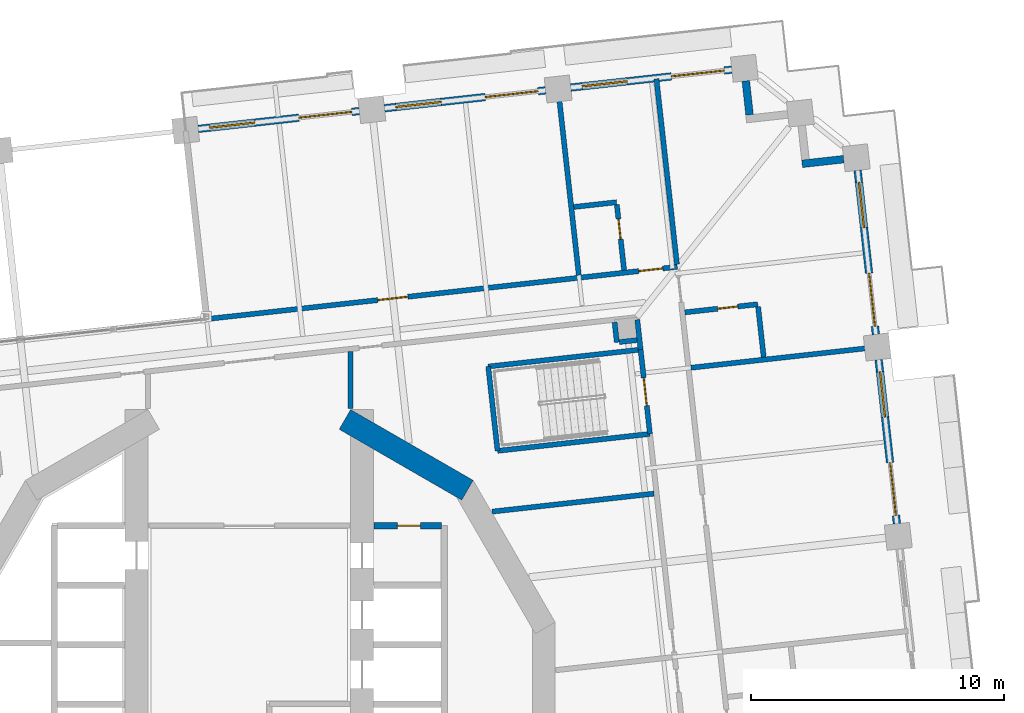
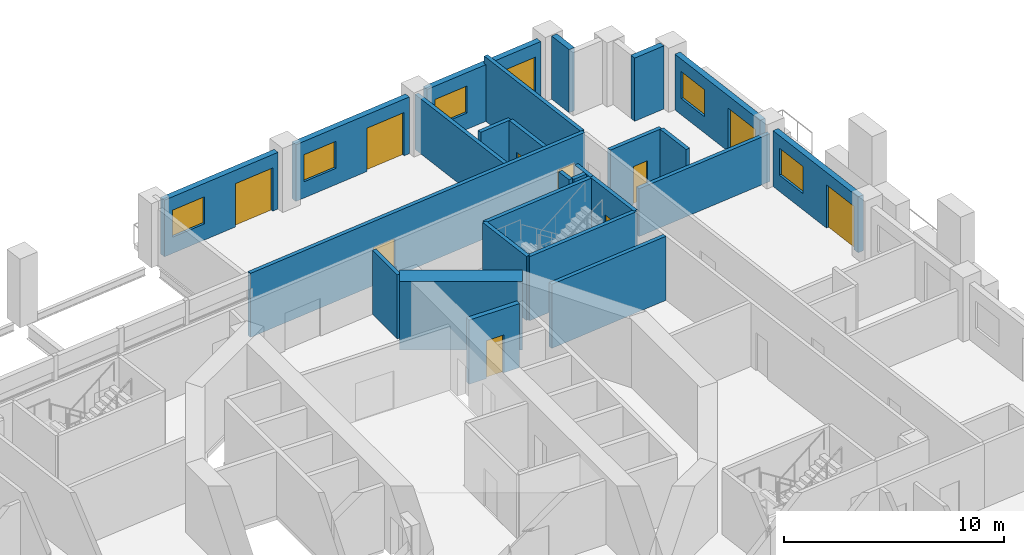
# One storey, part 12 of 21: 26 walls, 11 doors, 5 windows, 16 openings.
"""IFC4 building model written with IfcOpenShell, lengths in metres."""

from ifc_helpers import new_model, si_unit, direction, frame, frame_2d, origin, place, context, subcontext, project, spatial, rectangle, extrude, material, layer, layer_set, type_object, element, fill, save


model = new_model("IFC4")

# Units and contexts
model_context = context("Model", 3, precision=1e-05, world=origin(), true_north=direction((0.0, 1.0)))
body_context = subcontext(model_context, "Body", "Model", "MODEL_VIEW")
ifc_project = project(units=[si_unit("LENGTHUNIT", "METRE"), si_unit("AREAUNIT", "SQUARE_METRE"), si_unit("VOLUMEUNIT", "CUBIC_METRE"), si_unit("PLANEANGLEUNIT", "RADIAN"), si_unit("MASSUNIT", "GRAM", prefix="KILO")], contexts=[model_context])

# Site, building, storey
site_placement = place(None, origin())
site = spatial("IfcSite", under=ifc_project, at=site_placement, CompositionType="ELEMENT")
building_placement = place(site_placement, origin())
building = spatial("IfcBuilding", under=site, at=building_placement, Name="Cantera Rosa Tower", CompositionType="ELEMENT")
storey_placement = place(building_placement, frame((0.0, 0.0, 61.5)))
storey = spatial("IfcBuildingStorey", under=building, at=storey_placement, Name="L12", CompositionType="ELEMENT", Elevation=61.5)

# Walls
ifc_material_1 = material(Name="Gypsum board partition")
ifc_layer_1 = layer(ifc_material_1, 0.199951171875)
ifc_layer_set_1 = layer_set([ifc_layer_1], Name="CORRIDOR WALL 200 H3550")
wall_type_1 = type_object("IfcWallType", Name="CORRIDOR WALL 200 H3550", PredefinedType="PARTITIONING", material=ifc_layer_set_1)
wall_1_placement = place(storey_placement, frame((4.0, 11.667236328125, 0.0), z_axis=(0.0, 0.0, 1.0), x_axis=(0.0, 1.0, 0.0)))
element("IfcWall", 1, at=wall_1_placement, inside=storey, type_object=wall_type_1, Name="CORRIDOR WALL L12-060", PredefinedType="PARTITIONING", context=body_context, shape_type="SweptSolid", body=[
    extrude(rectangle(XDim=2.259765625, YDim=0.199951171875, at=frame_2d((1.1298828125, 0.0))), origin(), (0.0, 0.0, 1.0), 3.550048828125),
])
wall_2_placement = place(storey_placement, frame((15.44970703125, 14.001708984375, 0.0), z_axis=(0.0, 0.0, 1.0), x_axis=(-0.110341316069, 0.993893753863, 0.0)))
element("IfcWall", 2, at=wall_2_placement, inside=storey, type_object=wall_type_1, Name="CORRIDOR WALL L12-088", PredefinedType="PARTITIONING", context=body_context, shape_type="SweptSolid", body=[
    extrude(rectangle(XDim=1.188232421875, YDim=0.199951171875, at=frame_2d((0.59423828125, 0.0))), origin(), (0.0, 0.0, 1.0), 3.550048828125),
])

# Wall, openings, doors
wall_3_placement = place(storey_placement, frame((16.898193359375, 17.26953125, 0.0), z_axis=(0.0, 0.0, 1.0), x_axis=(-0.993896854699, -0.110313381866, 0.0)))
wall_3 = element("IfcWall", 3, at=wall_3_placement, inside=storey, type_object=wall_type_1, Name="CORRIDOR WALL L12-092", PredefinedType="PARTITIONING", context=body_context, shape_type="SweptSolid", body=[
    extrude(rectangle(XDim=18.8251953125, YDim=0.199951171875, at=frame_2d((9.41259765625, 0.0))), origin(), (0.0, 0.0, 1.0), 3.550048828125),
])
opening_1_placement = place(wall_3_placement, frame((10.699951171875, 0.0, 0.0)))
opening_1 = element("IfcOpeningElement", 4, at=opening_1_placement, cuts=wall_3, Name="Opening L12-025", PredefinedType="OPENING", context=body_context, shape_type="SweptSolid", body=[
    extrude(rectangle(XDim=1.199951171875, YDim=2.10009765625, at=frame_2d((0.60009765625, 1.050048828125))), frame((0.0, 0.10986328125, 0.0), z_axis=(0.0, -1.0, 0.0), x_axis=(1.0, 0.0, 0.0)), (0.0, 0.0, 1.0), 0.219970703125),
])
opening_2_placement = place(wall_3_placement, frame((0.574951171875, 0.0, 0.0)))
opening_2 = element("IfcOpeningElement", 5, at=opening_2_placement, cuts=wall_3, Name="Opening L12-026", PredefinedType="OPENING", context=body_context, shape_type="SweptSolid", body=[
    extrude(rectangle(XDim=0.949951171875, YDim=2.10009765625, at=frame_2d((0.47509765625, 1.050048828125))), frame((0.0, 0.10986328125, 0.0), z_axis=(0.0, -1.0, 0.0), x_axis=(1.0, 0.0, 0.0)), (0.0, 0.0, 1.0), 0.219970703125),
])
ifc_material_2 = material(Name="Timber door leaf", Category="wood")
door_type_1 = type_object("IfcDoorType", Name="ROOM DOOR 1200x2100", OperationType="NOTDEFINED", PredefinedType="DOOR", material=ifc_material_2)
door_1_placement = place(opening_1_placement, origin())
door_1 = element("IfcDoor", 6, at=door_1_placement, inside=storey, type_object=door_type_1, Name="DOOR L12-025", OperationType="NOTDEFINED", OverallHeight=2.10009765625, OverallWidth=1.199951171875, PredefinedType="DOOR", context=body_context, shape_type="SweptSolid", body=[
    extrude(rectangle(XDim=1.199951171875, YDim=2.10009765625, at=frame_2d((0.60009765625, 1.050048828125))), frame((0.0, 0.02490234375, 0.0), z_axis=(0.0, -1.0, 0.0), x_axis=(1.0, 0.0, 0.0)), (0.0, 0.0, 1.0), 0.050048828125),
])
fill(opening_1, door_1)
ifc_material_3 = material(Name="Timber door leaf", Category="wood")
door_type_2 = type_object("IfcDoorType", Name="ROOM DOOR 950x2100", OperationType="NOTDEFINED", PredefinedType="DOOR", material=ifc_material_3)
door_2_placement = place(opening_2_placement, origin())
door_2 = element("IfcDoor", 7, at=door_2_placement, inside=storey, type_object=door_type_2, Name="DOOR L12-026", OperationType="NOTDEFINED", OverallHeight=2.10009765625, OverallWidth=0.949951171875, PredefinedType="DOOR", context=body_context, shape_type="SweptSolid", body=[
    extrude(rectangle(XDim=0.949951171875, YDim=2.10009765625, at=frame_2d((0.47509765625, 1.050048828125))), frame((0.0, 0.02490234375, 0.0), z_axis=(0.0, -1.0, 0.0), x_axis=(1.0, 0.0, 0.0)), (0.0, 0.0, 1.0), 0.050048828125),
])
fill(opening_2, door_2)

# Walls
ifc_material_4 = material(Name="Hollow clay masonry with cantera stone cladding", Category="masonry")
ifc_layer_2 = layer(ifc_material_4, 0.300048828125)
ifc_layer_set_2 = layer_set([ifc_layer_2], Name="EW-LOGGIA 300")
wall_type_2 = type_object("IfcWallType", Name="EW-LOGGIA 300", PredefinedType="SOLIDWALL", material=ifc_layer_set_2)
wall_4_placement = place(storey_placement, frame((23.46923828125, 21.520263671875, 0.0), z_axis=(0.0, 0.0, 1.0), x_axis=(-0.993905369514, -0.110236638423, 0.0)))
element("IfcWall", 8, at=wall_4_placement, inside=storey, type_object=wall_type_2, Name="EN-L12-W06a", PredefinedType="SOLIDWALL", context=body_context, shape_type="SweptSolid", body=[
    extrude(rectangle(XDim=1.64990234375, YDim=0.300048828125, at=frame_2d((0.824951171875, 0.0))), origin(), (0.0, 0.0, 1.0), 3.5),
])
wall_5_placement = place(storey_placement, frame((19.75341796875, 23.27099609375, 0.0), z_axis=(0.0, 0.0, 1.0), x_axis=(-0.110312435488, 0.993896959738, 0.0)))
element("IfcWall", 9, at=wall_5_placement, inside=storey, type_object=wall_type_2, Name="EN-L12-W07b", PredefinedType="SOLIDWALL", context=body_context, shape_type="SweptSolid", body=[
    extrude(rectangle(XDim=1.35009765625, YDim=0.300048828125, at=frame_2d((0.675048828125, 0.0))), origin(), (0.0, 0.0, 1.0), 3.5),
])

# Wall, openings, window, door
ifc_material_5 = material(Name="Hollow clay masonry with cantera stone cladding", Category="masonry")
ifc_layer_3 = layer(ifc_material_5, 0.300048828125)
ifc_layer_set_3 = layer_set([ifc_layer_3], Name="EW-LOGGIA 300 H3090")
wall_type_3 = type_object("IfcWallType", Name="EW-LOGGIA 300 H3090", PredefinedType="SOLIDWALL", material=ifc_layer_set_3)
wall_6_placement = place(storey_placement, frame((25.570068359375, 7.124267578125, 0.0), z_axis=(0.0, 0.0, 1.0), x_axis=(-0.110312341265, 0.993896970196, 0.0)))
wall_6 = element("IfcWall", 10, at=wall_6_placement, inside=storey, type_object=wall_type_3, Name="EN-L12-W04", PredefinedType="SOLIDWALL", context=body_context, shape_type="SweptSolid", body=[
    extrude(rectangle(XDim=6.52001953125, YDim=0.300048828125, at=frame_2d((3.260009765625, 0.0))), origin(), (0.0, 0.0, 1.0), 3.090087890625),
])
opening_3_placement = place(wall_6_placement, frame((0.330078125, 0.0, 0.0)))
opening_3 = element("IfcOpeningElement", 11, at=opening_3_placement, cuts=wall_6, Name="Opening L12-TD07", PredefinedType="OPENING", context=body_context, shape_type="SweptSolid", body=[
    extrude(rectangle(XDim=2.10009765625, YDim=2.39990234375, at=frame_2d((1.050048828125, 1.199951171875))), frame((0.0, 0.159912109375, 0.0), z_axis=(0.0, -1.0, 0.0), x_axis=(1.0, 0.0, 0.0)), (0.0, 0.0, 1.0), 0.320068359375),
])
opening_4_placement = place(wall_6_placement, frame((4.239990234375, 0.0, 0.89990234375)))
opening_4 = element("IfcOpeningElement", 12, at=opening_4_placement, cuts=wall_6, Name="Opening L12-W08", PredefinedType="OPENING", context=body_context, shape_type="SweptSolid", body=[
    extrude(rectangle(XDim=1.800048828125, YDim=1.5, at=frame_2d((0.89990234375, 0.75))), frame((0.0, 0.159912109375, 0.0), z_axis=(0.0, -1.0, 0.0), x_axis=(1.0, 0.0, 0.0)), (0.0, 0.0, 1.0), 0.320068359375),
])
ifc_material_6 = material(Name="Aluminium frame with clear glass", Category="aluminium")
window_type = type_object("IfcWindowType", Name="Hotel room window 1800x1500", PartitioningType="DOUBLE_PANEL_VERTICAL", PredefinedType="WINDOW", material=ifc_material_6)
window_1_placement = place(opening_4_placement, origin())
window_1 = element("IfcWindow", 13, at=window_1_placement, inside=storey, type_object=window_type, Name="WINDOW L12-W08", OverallHeight=1.5, OverallWidth=1.800048828125, PartitioningType="SINGLE_PANEL", PredefinedType="WINDOW", context=body_context, shape_type="SweptSolid", body=[
    extrude(rectangle(XDim=1.800048828125, YDim=1.5, at=frame_2d((0.89990234375, 0.75))), frame((0.0, 0.030029296875, 0.0), z_axis=(0.0, -1.0, 0.0), x_axis=(1.0, 0.0, 0.0)), (0.0, 0.0, 1.0), 0.06005859375),
])
fill(opening_4, window_1)
ifc_material_7 = material(Name="Aluminium frame with clear glass", Category="aluminium")
door_type_3 = type_object("IfcDoorType", Name="TD-H 2100x2400", OperationType="NOTDEFINED", PredefinedType="DOOR", material=ifc_material_7)
door_3_placement = place(opening_3_placement, origin())
door_3 = element("IfcDoor", 14, at=door_3_placement, inside=storey, type_object=door_type_3, Name="LOGGIA DOOR L12-TD07", OperationType="SLIDING_TO_LEFT", OverallHeight=2.39990234375, OverallWidth=2.10009765625, PredefinedType="DOOR", context=body_context, shape_type="SweptSolid", body=[
    extrude(rectangle(XDim=2.10009765625, YDim=2.39990234375, at=frame_2d((1.050048828125, 1.199951171875))), frame((0.0, 0.02490234375, 0.0), z_axis=(0.0, -1.0, 0.0), x_axis=(1.0, 0.0, 0.0)), (0.0, 0.0, 1.0), 0.050048828125),
])
fill(opening_3, door_3)

wall_7_placement = place(storey_placement, frame((24.74072265625, 14.598388671875, 0.0), z_axis=(0.0, 0.0, 1.0), x_axis=(-0.110312341265, 0.993896970196, 0.0)))
wall_7 = element("IfcWall", 15, at=wall_7_placement, inside=storey, type_object=wall_type_3, Name="EN-L12-W05", PredefinedType="SOLIDWALL", context=body_context, shape_type="SweptSolid", body=[
    extrude(rectangle(XDim=6.52001953125, YDim=0.300048828125, at=frame_2d((3.260009765625, 0.0))), origin(), (0.0, 0.0, 1.0), 3.090087890625),
])
opening_5_placement = place(wall_7_placement, frame((0.330078125, 0.0, 0.0)))
opening_5 = element("IfcOpeningElement", 16, at=opening_5_placement, cuts=wall_7, Name="Opening L12-TD09", PredefinedType="OPENING", context=body_context, shape_type="SweptSolid", body=[
    extrude(rectangle(XDim=2.10009765625, YDim=2.39990234375, at=frame_2d((1.050048828125, 1.199951171875))), frame((0.0, 0.159912109375, 0.0), z_axis=(0.0, -1.0, 0.0), x_axis=(1.0, 0.0, 0.0)), (0.0, 0.0, 1.0), 0.320068359375),
])
opening_6_placement = place(wall_7_placement, frame((4.239990234375, 0.0, 0.89990234375)))
opening_6 = element("IfcOpeningElement", 17, at=opening_6_placement, cuts=wall_7, Name="Opening L12-W10", PredefinedType="OPENING", context=body_context, shape_type="SweptSolid", body=[
    extrude(rectangle(XDim=1.800048828125, YDim=1.5, at=frame_2d((0.89990234375, 0.75))), frame((0.0, 0.159912109375, 0.0), z_axis=(0.0, -1.0, 0.0), x_axis=(1.0, 0.0, 0.0)), (0.0, 0.0, 1.0), 0.320068359375),
])
window_2_placement = place(opening_6_placement, origin())
window_2 = element("IfcWindow", 18, at=window_2_placement, inside=storey, type_object=window_type, Name="WINDOW L12-W10", OverallHeight=1.5, OverallWidth=1.800048828125, PartitioningType="SINGLE_PANEL", PredefinedType="WINDOW", context=body_context, shape_type="SweptSolid", body=[
    extrude(rectangle(XDim=1.800048828125, YDim=1.5, at=frame_2d((0.89990234375, 0.75))), frame((0.0, 0.030029296875, 0.0), z_axis=(0.0, -1.0, 0.0), x_axis=(1.0, 0.0, 0.0)), (0.0, 0.0, 1.0), 0.06005859375),
])
fill(opening_6, window_2)
door_4_placement = place(opening_5_placement, origin())
door_4 = element("IfcDoor", 19, at=door_4_placement, inside=storey, type_object=door_type_3, Name="LOGGIA DOOR L12-TD09", OperationType="SLIDING_TO_LEFT", OverallHeight=2.39990234375, OverallWidth=2.10009765625, PredefinedType="DOOR", context=body_context, shape_type="SweptSolid", body=[
    extrude(rectangle(XDim=2.10009765625, YDim=2.39990234375, at=frame_2d((1.050048828125, 1.199951171875))), frame((0.0, 0.02490234375, 0.0), z_axis=(0.0, -1.0, 0.0), x_axis=(1.0, 0.0, 0.0)), (0.0, 0.0, 1.0), 0.050048828125),
])
fill(opening_5, door_4)

ifc_material_8 = material(Name="Hollow clay masonry with cantera stone cladding", Category="masonry")
ifc_layer_4 = layer(ifc_material_8, 0.300048828125)
ifc_layer_set_4 = layer_set([ifc_layer_4], Name="EW-LOGGIA 300 H3140")
wall_type_4 = type_object("IfcWallType", Name="EW-LOGGIA 300 H3140", PredefinedType="SOLIDWALL", material=ifc_layer_set_4)
wall_8_placement = place(storey_placement, frame((19.052490234375, 25.0546875, 0.0), z_axis=(0.0, 0.0, 1.0), x_axis=(-0.993896288542, -0.110318482689, 0.0)))
wall_8 = element("IfcWall", 20, at=wall_8_placement, inside=storey, type_object=wall_type_4, Name="EN-L12-W08", PredefinedType="SOLIDWALL", context=body_context, shape_type="SweptSolid", body=[
    extrude(rectangle(XDim=6.400146484375, YDim=0.300048828125, at=frame_2d((3.2001953125, 0.0))), origin(), (0.0, 0.0, 1.0), 3.139892578125),
])
opening_7_placement = place(wall_8_placement, frame((0.300048828125, 0.0, 0.0)))
opening_7 = element("IfcOpeningElement", 21, at=opening_7_placement, cuts=wall_8, Name="Opening L12-TD11", PredefinedType="OPENING", context=body_context, shape_type="SweptSolid", body=[
    extrude(rectangle(XDim=2.10009765625, YDim=2.39990234375, at=frame_2d((1.050048828125, 1.199951171875))), frame((0.0, 0.159912109375, 0.0), z_axis=(0.0, -1.0, 0.0), x_axis=(1.0, 0.0, 0.0)), (0.0, 0.0, 1.0), 0.320068359375),
])
opening_8_placement = place(wall_8_placement, frame((4.14990234375, 0.0, 0.89990234375)))
opening_8 = element("IfcOpeningElement", 22, at=opening_8_placement, cuts=wall_8, Name="Opening L12-W12", PredefinedType="OPENING", context=body_context, shape_type="SweptSolid", body=[
    extrude(rectangle(XDim=1.800048828125, YDim=1.5, at=frame_2d((0.89990234375, 0.75))), frame((0.0, 0.159912109375, 0.0), z_axis=(0.0, -1.0, 0.0), x_axis=(1.0, 0.0, 0.0)), (0.0, 0.0, 1.0), 0.320068359375),
])
window_3_placement = place(opening_8_placement, origin())
window_3 = element("IfcWindow", 23, at=window_3_placement, inside=storey, type_object=window_type, Name="WINDOW L12-W12", OverallHeight=1.5, OverallWidth=1.800048828125, PartitioningType="SINGLE_PANEL", PredefinedType="WINDOW", context=body_context, shape_type="SweptSolid", body=[
    extrude(rectangle(XDim=1.800048828125, YDim=1.5, at=frame_2d((0.89990234375, 0.75))), frame((0.0, 0.030029296875, 0.0), z_axis=(0.0, -1.0, 0.0), x_axis=(1.0, 0.0, 0.0)), (0.0, 0.0, 1.0), 0.06005859375),
])
fill(opening_8, window_3)
door_5_placement = place(opening_7_placement, origin())
door_5 = element("IfcDoor", 24, at=door_5_placement, inside=storey, type_object=door_type_3, Name="LOGGIA DOOR L12-TD11", OperationType="SLIDING_TO_LEFT", OverallHeight=2.39990234375, OverallWidth=2.10009765625, PredefinedType="DOOR", context=body_context, shape_type="SweptSolid", body=[
    extrude(rectangle(XDim=2.10009765625, YDim=2.39990234375, at=frame_2d((1.050048828125, 1.199951171875))), frame((0.0, 0.02490234375, 0.0), z_axis=(0.0, -1.0, 0.0), x_axis=(1.0, 0.0, 0.0)), (0.0, 0.0, 1.0), 0.050048828125),
])
fill(opening_7, door_5)

wall_9_placement = place(storey_placement, frame((11.697509765625, 24.23828125, 0.0), z_axis=(0.0, 0.0, 1.0), x_axis=(-0.993895824271, -0.110322665379, 0.0)))
wall_9 = element("IfcWall", 25, at=wall_9_placement, inside=storey, type_object=wall_type_4, Name="EN-L12-W09", PredefinedType="SOLIDWALL", context=body_context, shape_type="SweptSolid", body=[
    extrude(rectangle(XDim=6.39990234375, YDim=0.300048828125, at=frame_2d((3.199951171875, 0.0))), origin(), (0.0, 0.0, 1.0), 3.139892578125),
])
opening_9_placement = place(wall_9_placement, frame((0.300048828125, 0.0, 0.0)))
opening_9 = element("IfcOpeningElement", 26, at=opening_9_placement, cuts=wall_9, Name="Opening L12-TD13", PredefinedType="OPENING", context=body_context, shape_type="SweptSolid", body=[
    extrude(rectangle(XDim=2.10009765625, YDim=2.39990234375, at=frame_2d((1.050048828125, 1.199951171875))), frame((0.0, 0.159912109375, 0.0), z_axis=(0.0, -1.0, 0.0), x_axis=(1.0, 0.0, 0.0)), (0.0, 0.0, 1.0), 0.320068359375),
])
opening_10_placement = place(wall_9_placement, frame((4.14990234375, 0.0, 0.89990234375)))
opening_10 = element("IfcOpeningElement", 27, at=opening_10_placement, cuts=wall_9, Name="Opening L12-W14", PredefinedType="OPENING", context=body_context, shape_type="SweptSolid", body=[
    extrude(rectangle(XDim=1.800048828125, YDim=1.5, at=frame_2d((0.89990234375, 0.75))), frame((0.0, 0.159912109375, 0.0), z_axis=(0.0, -1.0, 0.0), x_axis=(1.0, 0.0, 0.0)), (0.0, 0.0, 1.0), 0.320068359375),
])
window_4_placement = place(opening_10_placement, origin())
window_4 = element("IfcWindow", 28, at=window_4_placement, inside=storey, type_object=window_type, Name="WINDOW L12-W14", OverallHeight=1.5, OverallWidth=1.800048828125, PartitioningType="SINGLE_PANEL", PredefinedType="WINDOW", context=body_context, shape_type="SweptSolid", body=[
    extrude(rectangle(XDim=1.800048828125, YDim=1.5, at=frame_2d((0.89990234375, 0.75))), frame((0.0, 0.030029296875, 0.0), z_axis=(0.0, -1.0, 0.0), x_axis=(1.0, 0.0, 0.0)), (0.0, 0.0, 1.0), 0.06005859375),
])
fill(opening_10, window_4)
door_6_placement = place(opening_9_placement, origin())
door_6 = element("IfcDoor", 29, at=door_6_placement, inside=storey, type_object=door_type_3, Name="LOGGIA DOOR L12-TD13", OperationType="SLIDING_TO_LEFT", OverallHeight=2.39990234375, OverallWidth=2.10009765625, PredefinedType="DOOR", context=body_context, shape_type="SweptSolid", body=[
    extrude(rectangle(XDim=2.10009765625, YDim=2.39990234375, at=frame_2d((1.050048828125, 1.199951171875))), frame((0.0, 0.02490234375, 0.0), z_axis=(0.0, -1.0, 0.0), x_axis=(1.0, 0.0, 0.0)), (0.0, 0.0, 1.0), 0.050048828125),
])
fill(opening_9, door_6)

wall_10_placement = place(storey_placement, frame((4.3427734375, 23.422119140625, 0.0), z_axis=(0.0, 0.0, 1.0), x_axis=(-0.993895824271, -0.110322665379, 0.0)))
wall_10 = element("IfcWall", 30, at=wall_10_placement, inside=storey, type_object=wall_type_4, Name="EN-L12-W10", PredefinedType="SOLIDWALL", context=body_context, shape_type="SweptSolid", body=[
    extrude(rectangle(XDim=6.39990234375, YDim=0.300048828125, at=frame_2d((3.199951171875, 0.0))), origin(), (0.0, 0.0, 1.0), 3.139892578125),
])
opening_11_placement = place(wall_10_placement, frame((0.300048828125, 0.0, 0.0)))
opening_11 = element("IfcOpeningElement", 31, at=opening_11_placement, cuts=wall_10, Name="Opening L12-TD15", PredefinedType="OPENING", context=body_context, shape_type="SweptSolid", body=[
    extrude(rectangle(XDim=2.10009765625, YDim=2.39990234375, at=frame_2d((1.050048828125, 1.199951171875))), frame((0.0, 0.159912109375, 0.0), z_axis=(0.0, -1.0, 0.0), x_axis=(1.0, 0.0, 0.0)), (0.0, 0.0, 1.0), 0.320068359375),
])
opening_12_placement = place(wall_10_placement, frame((4.14990234375, 0.0, 0.89990234375)))
opening_12 = element("IfcOpeningElement", 32, at=opening_12_placement, cuts=wall_10, Name="Opening L12-W16", PredefinedType="OPENING", context=body_context, shape_type="SweptSolid", body=[
    extrude(rectangle(XDim=1.800048828125, YDim=1.5, at=frame_2d((0.89990234375, 0.75))), frame((0.0, 0.159912109375, 0.0), z_axis=(0.0, -1.0, 0.0), x_axis=(1.0, 0.0, 0.0)), (0.0, 0.0, 1.0), 0.320068359375),
])
window_5_placement = place(opening_12_placement, origin())
window_5 = element("IfcWindow", 33, at=window_5_placement, inside=storey, type_object=window_type, Name="WINDOW L12-W16", OverallHeight=1.5, OverallWidth=1.800048828125, PartitioningType="SINGLE_PANEL", PredefinedType="WINDOW", context=body_context, shape_type="SweptSolid", body=[
    extrude(rectangle(XDim=1.800048828125, YDim=1.5, at=frame_2d((0.89990234375, 0.75))), frame((0.0, 0.030029296875, 0.0), z_axis=(0.0, -1.0, 0.0), x_axis=(1.0, 0.0, 0.0)), (0.0, 0.0, 1.0), 0.06005859375),
])
fill(opening_12, window_5)
door_7_placement = place(opening_11_placement, origin())
door_7 = element("IfcDoor", 34, at=door_7_placement, inside=storey, type_object=door_type_3, Name="LOGGIA DOOR L12-TD15", OperationType="SLIDING_TO_LEFT", OverallHeight=2.39990234375, OverallWidth=2.10009765625, PredefinedType="DOOR", context=body_context, shape_type="SweptSolid", body=[
    extrude(rectangle(XDim=2.10009765625, YDim=2.39990234375, at=frame_2d((1.050048828125, 1.199951171875))), frame((0.0, 0.02490234375, 0.0), z_axis=(0.0, -1.0, 0.0), x_axis=(1.0, 0.0, 0.0)), (0.0, 0.0, 1.0), 0.050048828125),
])
fill(opening_11, door_7)

# Walls
ifc_material_9 = material(Name="Gypsum board partition")
ifc_layer_5 = layer(ifc_material_9, 0.199951171875)
ifc_layer_set_5 = layer_set([ifc_layer_5], Name="PARTITION 200 H3550")
wall_type_5 = type_object("IfcWallType", Name="PARTITION 200 H3550", PredefinedType="PARTITIONING", material=ifc_layer_set_5)
wall_11_placement = place(storey_placement, frame((9.58642578125, 7.60400390625, 0.0), z_axis=(0.0, 0.0, 1.0), x_axis=(0.993896223863, 0.110319065398, 0.0)))
element("IfcWall", 35, at=wall_11_placement, inside=storey, type_object=wall_type_5, Name="PARTITION L12-072", PredefinedType="PARTITIONING", context=body_context, shape_type="SweptSolid", body=[
    extrude(rectangle(XDim=6.433349609375, YDim=0.199951171875, at=frame_2d((3.216796875, 0.0))), origin(), (0.0, 0.0, 1.0), 3.550048828125),
])
wall_12_placement = place(storey_placement, frame((12.8125, 19.63330078125, 0.0), z_axis=(0.0, 0.0, 1.0), x_axis=(0.993897739047, 0.110305413813, 0.0)))
element("IfcWall", 36, at=wall_12_placement, inside=storey, type_object=wall_type_5, Name="PARTITION L12-075", PredefinedType="PARTITIONING", context=body_context, shape_type="SweptSolid", body=[
    extrude(rectangle(XDim=1.69970703125, YDim=0.199951171875, at=frame_2d((0.849853515625, 0.0))), origin(), (0.0, 0.0, 1.0), 3.550048828125),
])
wall_13_placement = place(storey_placement, frame((14.42431640625, 15.083251953125, 0.0), z_axis=(0.0, 0.0, 1.0), x_axis=(0.110163574714, -0.993913470482, 0.0)))
element("IfcWall", 37, at=wall_13_placement, inside=storey, type_object=wall_type_5, Name="PARTITION L12-078", PredefinedType="PARTITIONING", context=body_context, shape_type="SweptSolid", body=[
    extrude(rectangle(XDim=0.800048828125, YDim=0.199951171875, at=frame_2d((0.39990234375, 0.0))), origin(), (0.0, 0.0, 1.0), 3.550048828125),
])

# Wall, opening, door
wall_14_placement = place(storey_placement, frame((14.51318359375, 19.72119140625, 0.0), z_axis=(0.0, 0.0, 1.0), x_axis=(0.110246001939, -0.993904330938, 0.0)))
wall_14 = element("IfcWall", 38, at=wall_14_placement, inside=storey, type_object=wall_type_5, Name="PARTITION L12-079", PredefinedType="PARTITIONING", context=body_context, shape_type="SweptSolid", body=[
    extrude(rectangle(XDim=2.599853515625, YDim=0.199951171875, at=frame_2d((1.2998046875, 0.0))), origin(), (0.0, 0.0, 1.0), 3.550048828125),
])
opening_13_placement = place(wall_14_placement, frame((0.56396484375, 0.0, 0.0)))
opening_13 = element("IfcOpeningElement", 39, at=opening_13_placement, cuts=wall_14, Name="Opening L12-027", PredefinedType="OPENING", context=body_context, shape_type="SweptSolid", body=[
    extrude(rectangle(XDim=0.800048828125, YDim=2.10009765625, at=frame_2d((0.39990234375, 1.050048828125))), frame((0.0, 0.10986328125, 0.0), z_axis=(0.0, -1.0, 0.0), x_axis=(1.0, 0.0, 0.0)), (0.0, 0.0, 1.0), 0.219970703125),
])
ifc_material_10 = material(Name="Timber door leaf", Category="wood")
door_type_4 = type_object("IfcDoorType", Name="BATHROOM DOOR 800x2100", OperationType="NOTDEFINED", PredefinedType="DOOR", material=ifc_material_10)
door_8_placement = place(opening_13_placement, origin())
door_8 = element("IfcDoor", 40, at=door_8_placement, inside=storey, type_object=door_type_4, Name="DOOR L12-027", OperationType="NOTDEFINED", OverallHeight=2.10009765625, OverallWidth=0.800048828125, PredefinedType="DOOR", context=body_context, shape_type="SweptSolid", body=[
    extrude(rectangle(XDim=0.800048828125, YDim=2.10009765625, at=frame_2d((0.39990234375, 1.050048828125))), frame((0.0, 0.02490234375, 0.0), z_axis=(0.0, -1.0, 0.0), x_axis=(1.0, 0.0, 0.0)), (0.0, 0.0, 1.0), 0.050048828125),
])
fill(opening_13, door_8)

# Wall
wall_15_placement = place(storey_placement, frame((14.61181640625, 14.299072265625, 0.0), z_axis=(0.0, 0.0, 1.0), x_axis=(0.993870969748, 0.110546349969, 0.0)))
element("IfcWall", 41, at=wall_15_placement, inside=storey, type_object=wall_type_5, Name="PARTITION L12-081", PredefinedType="PARTITIONING", context=body_context, shape_type="SweptSolid", body=[
    extrude(rectangle(XDim=0.7001953125, YDim=0.199951171875, at=frame_2d((0.35009765625, 0.0))), origin(), (0.0, 0.0, 1.0), 3.550048828125),
])

# Wall, opening, door
wall_16_placement = place(storey_placement, frame((17.1982421875, 15.4716796875, 0.0), z_axis=(0.0, 0.0, 1.0), x_axis=(0.993900150219, 0.110283685989, 0.0)))
wall_16 = element("IfcWall", 42, at=wall_16_placement, inside=storey, type_object=wall_type_5, Name="PARTITION L12-098", PredefinedType="PARTITIONING", context=body_context, shape_type="SweptSolid", body=[
    extrude(rectangle(XDim=2.89990234375, YDim=0.199951171875, at=frame_2d((1.449951171875, 0.0))), origin(), (0.0, 0.0, 1.0), 3.550048828125),
])
opening_14_placement = place(wall_16_placement, frame((1.300048828125, 0.0, 0.0)))
opening_14 = element("IfcOpeningElement", 43, at=opening_14_placement, cuts=wall_16, Name="Opening L12-024", PredefinedType="OPENING", context=body_context, shape_type="SweptSolid", body=[
    extrude(rectangle(XDim=0.800048828125, YDim=2.10009765625, at=frame_2d((0.39990234375, 1.050048828125))), frame((0.0, 0.10986328125, 0.0), z_axis=(0.0, -1.0, 0.0), x_axis=(1.0, 0.0, 0.0)), (0.0, 0.0, 1.0), 0.219970703125),
])
door_9_placement = place(opening_14_placement, origin())
door_9 = element("IfcDoor", 44, at=door_9_placement, inside=storey, type_object=door_type_4, Name="DOOR L12-024", OperationType="NOTDEFINED", OverallHeight=2.10009765625, OverallWidth=0.800048828125, PredefinedType="DOOR", context=body_context, shape_type="SweptSolid", body=[
    extrude(rectangle(XDim=0.800048828125, YDim=2.10009765625, at=frame_2d((0.39990234375, 1.050048828125))), frame((0.0, 0.02490234375, 0.0), z_axis=(0.0, -1.0, 0.0), x_axis=(1.0, 0.0, 0.0)), (0.0, 0.0, 1.0), 0.050048828125),
])
fill(opening_14, door_9)

# Walls
wall_17_placement = place(storey_placement, frame((20.091552734375, 15.692138671875, 0.0), z_axis=(0.0, 0.0, 1.0), x_axis=(0.110351138256, -0.993892663362, 0.0)))
element("IfcWall", 45, at=wall_17_placement, inside=storey, type_object=wall_type_5, Name="PARTITION L12-106", PredefinedType="PARTITIONING", context=body_context, shape_type="SweptSolid", body=[
    extrude(rectangle(XDim=2.0, YDim=0.199951171875, at=frame_2d((1.0, 0.0))), origin(), (0.0, 0.0, 1.0), 3.550048828125),
])
ifc_material_11 = material(Name="Gypsum board partition")
ifc_layer_6 = layer(ifc_material_11, 0.199951171875)
ifc_layer_set_6 = layer_set([ifc_layer_6], Name="PARTY WALL 200 H2650")
wall_type_6 = type_object("IfcWallType", Name="PARTY WALL 200 H2650", PredefinedType="PARTITIONING", material=ifc_layer_set_6)
wall_18_placement = place(storey_placement, frame((17.44091796875, 13.284912109375, 0.0), z_axis=(0.0, 0.0, 1.0), x_axis=(0.993897461949, 0.110307910555, 0.0)))
element("IfcWall", 46, at=wall_18_placement, inside=storey, type_object=wall_type_6, Name="PARTY WALL L12-100", PredefinedType="PARTITIONING", context=body_context, shape_type="SweptSolid", body=[
    extrude(rectangle(XDim=7.3701171875, YDim=0.199951171875, at=frame_2d((3.68505859375, 0.0))), origin(), (0.0, 0.0, 1.0), 2.64990234375),
])
ifc_material_12 = material(Name="Gypsum board partition")
ifc_layer_7 = layer(ifc_material_12, 0.199951171875)
ifc_layer_set_7 = layer_set([ifc_layer_7], Name="PARTY WALL 200 H3050")
wall_type_7 = type_object("IfcWallType", Name="PARTY WALL 200 H3050", PredefinedType="PARTITIONING", material=ifc_layer_set_7)
wall_19_placement = place(storey_placement, frame((13.010986328125, 16.938720703125, 0.0), z_axis=(0.0, 0.0, 1.0), x_axis=(-0.11031154238, 0.993897058864, 0.0)))
element("IfcWall", 47, at=wall_19_placement, inside=storey, type_object=wall_type_7, Name="PARTY WALL L12-077", PredefinedType="PARTITIONING", context=body_context, shape_type="SweptSolid", body=[
    extrude(rectangle(XDim=7.369873046875, YDim=0.199951171875, at=frame_2d((3.68505859375, 0.0))), origin(), (0.0, 0.0, 1.0), 3.050048828125),
])
ifc_material_13 = material(Name="Gypsum board partition")
ifc_layer_8 = layer(ifc_material_13, 0.199951171875)
ifc_layer_set_8 = layer_set([ifc_layer_8], Name="PARTY WALL 200 H3550")
wall_type_8 = type_object("IfcWallType", Name="PARTY WALL 200 H3550", PredefinedType="PARTITIONING", material=ifc_layer_set_8)
wall_20_placement = place(storey_placement, frame((16.88720703125, 17.368896484375, 0.0), z_axis=(0.0, 0.0, 1.0), x_axis=(-0.11031154238, 0.993897058864, 0.0)))
element("IfcWall", 48, at=wall_20_placement, inside=storey, type_object=wall_type_8, Name="PARTY WALL L12-097", PredefinedType="PARTITIONING", context=body_context, shape_type="SweptSolid", body=[
    extrude(rectangle(XDim=7.369873046875, YDim=0.199951171875, at=frame_2d((3.68505859375, 0.0))), origin(), (0.0, 0.0, 1.0), 3.550048828125),
])
ifc_material_14 = material(Name="Concrete C70/85", Category="concrete")
ifc_layer_9 = layer(ifc_material_14, 0.89990234375)
ifc_layer_set_9 = layer_set([ifc_layer_9], Name="RC CORE WALL 900 C70/85")
wall_type_9 = type_object("IfcWallType", Name="RC CORE WALL 900 C70/85", PredefinedType="SHEAR", material=ifc_layer_set_9)
wall_21_placement = place(storey_placement, frame((3.77490234375, 11.242919921875, 0.0), z_axis=(0.0, 0.0, 1.0), x_axis=(0.866026961591, -0.49999730179, 0.0)))
element("IfcWall", 49, at=wall_21_placement, inside=storey, type_object=wall_type_9, Name="CW-E1 L12", PredefinedType="SHEAR", context=body_context, shape_type="SweptSolid", body=[
    extrude(rectangle(XDim=5.58740234375, YDim=0.89990234375, at=frame_2d((2.793701171875, 0.0))), origin(), (0.0, 0.0, 1.0), 3.800048828125),
])

# Wall, opening, door
ifc_material_15 = material(Name="Masonry blockwork", Category="masonry")
ifc_layer_10 = layer(ifc_material_15, 0.25)
ifc_layer_set_10 = layer_set([ifc_layer_10], Name="SHAFT WALL 250 H3550")
wall_type_10 = type_object("IfcWallType", Name="SHAFT WALL 250 H3550", PredefinedType="SOLIDWALL", material=ifc_layer_set_10)
wall_22_placement = place(storey_placement, frame((7.580078125, 7.050048828125, 0.0), z_axis=(0.0, 0.0, 1.0), x_axis=(-1.0, 0.0, 0.0)))
wall_22 = element("IfcWall", 50, at=wall_22_placement, inside=storey, type_object=wall_type_10, Name="SHAFT WALL L12-068", PredefinedType="SOLIDWALL", context=body_context, shape_type="SweptSolid", body=[
    extrude(rectangle(XDim=2.650146484375, YDim=0.25, at=frame_2d((1.3251953125, 0.0))), origin(), (0.0, 0.0, 1.0), 3.550048828125),
])
opening_15_placement = place(wall_22_placement, frame((0.830078125, 0.0, 0.0)))
opening_15 = element("IfcOpeningElement", 51, at=opening_15_placement, cuts=wall_22, Name="Opening L12-048", PredefinedType="OPENING", context=body_context, shape_type="SweptSolid", body=[
    extrude(rectangle(XDim=0.89990234375, YDim=2.10009765625, at=frame_2d((0.449951171875, 1.050048828125))), frame((0.0, 0.135009765625, 0.0), z_axis=(0.0, -1.0, 0.0), x_axis=(1.0, 0.0, 0.0)), (0.0, 0.0, 1.0), 0.27001953125),
])
ifc_material_16 = material(Name="Timber door leaf", Category="wood")
door_type_5 = type_object("IfcDoorType", Name="SERVICE DOOR 900x2100", OperationType="NOTDEFINED", PredefinedType="DOOR", material=ifc_material_16)
door_10_placement = place(opening_15_placement, origin())
door_10 = element("IfcDoor", 52, at=door_10_placement, inside=storey, type_object=door_type_5, Name="RISER DOOR L12-048", OperationType="NOTDEFINED", OverallHeight=2.10009765625, OverallWidth=0.89990234375, PredefinedType="DOOR", context=body_context, shape_type="SweptSolid", body=[
    extrude(rectangle(XDim=0.89990234375, YDim=2.10009765625, at=frame_2d((0.449951171875, 1.050048828125))), frame((0.0, 0.02490234375, 0.0), z_axis=(0.0, -1.0, 0.0), x_axis=(1.0, 0.0, 0.0)), (0.0, 0.0, 1.0), 0.050048828125),
])
fill(opening_15, door_10)

# Walls
ifc_material_17 = material(Name="Concrete C50/60", Category="concrete")
ifc_layer_11 = layer(ifc_material_17, 0.199951171875)
ifc_layer_set_11 = layer_set([ifc_layer_11], Name="STAIR WALL 200 H3550")
wall_type_11 = type_object("IfcWallType", Name="STAIR WALL 200 H3550", PredefinedType="SOLIDWALL", material=ifc_layer_set_11)
wall_23_placement = place(storey_placement, frame((9.43359375, 13.333740234375, 0.0), z_axis=(0.0, 0.0, 1.0), x_axis=(0.11027153821, -0.993901498067, 0.0)))
element("IfcWall", 53, at=wall_23_placement, inside=storey, type_object=wall_type_11, Name="STAIR WALL L12-071", PredefinedType="SOLIDWALL", context=body_context, shape_type="SweptSolid", body=[
    extrude(rectangle(XDim=3.349853515625, YDim=0.199951171875, at=frame_2d((1.6748046875, 0.0))), origin(), (0.0, 0.0, 1.0), 3.550048828125),
])
wall_24_placement = place(storey_placement, frame((9.802978515625, 10.00439453125, 0.0), z_axis=(0.0, 0.0, 1.0), x_axis=(0.993897498792, 0.11030757859, 0.0)))
element("IfcWall", 54, at=wall_24_placement, inside=storey, type_object=wall_type_11, Name="STAIR WALL L12-073", PredefinedType="SOLIDWALL", context=body_context, shape_type="SweptSolid", body=[
    extrude(rectangle(XDim=6.05322265625, YDim=0.199951171875, at=frame_2d((3.026611328125, 0.0))), origin(), (0.0, 0.0, 1.0), 3.550048828125),
])
wall_25_placement = place(storey_placement, frame((15.44970703125, 14.001708984375, 0.0), z_axis=(0.0, 0.0, 1.0), x_axis=(-0.993892585125, -0.110351842907, 0.0)))
element("IfcWall", 55, at=wall_25_placement, inside=storey, type_object=wall_type_11, Name="STAIR WALL L12-087", PredefinedType="SOLIDWALL", context=body_context, shape_type="SweptSolid", body=[
    extrude(rectangle(XDim=6.052978515625, YDim=0.199951171875, at=frame_2d((3.0263671875, 0.0))), origin(), (0.0, 0.0, 1.0), 3.550048828125),
])

# Wall, opening, door
wall_26_placement = place(storey_placement, frame((15.8193359375, 10.672119140625, 0.0), z_axis=(0.0, 0.0, 1.0), x_axis=(-0.110335541424, 0.993894394943, 0.0)))
wall_26 = element("IfcWall", 56, at=wall_26_placement, inside=storey, type_object=wall_type_11, Name="STAIR WALL L12-089", PredefinedType="SOLIDWALL", context=body_context, shape_type="SweptSolid", body=[
    extrude(rectangle(XDim=3.35009765625, YDim=0.199951171875, at=frame_2d((1.675048828125, 0.0))), origin(), (0.0, 0.0, 1.0), 3.550048828125),
])
opening_16_placement = place(wall_26_placement, frame((1.125, 0.0, 0.0)))
opening_16 = element("IfcOpeningElement", 57, at=opening_16_placement, cuts=wall_26, Name="Opening L12-001", PredefinedType="OPENING", context=body_context, shape_type="SweptSolid", body=[
    extrude(rectangle(XDim=1.10009765625, YDim=2.10009765625, at=frame_2d((0.550048828125, 1.050048828125))), frame((0.0, 0.10986328125, 0.0), z_axis=(0.0, -1.0, 0.0), x_axis=(1.0, 0.0, 0.0)), (0.0, 0.0, 1.0), 0.219970703125),
])
ifc_material_18 = material(Name="Steel S355J2 (EN 10025-2)", Category="steel")
door_type_6 = type_object("IfcDoorType", Name="STAIR DOOR 1100x2100", OperationType="NOTDEFINED", PredefinedType="DOOR", material=ifc_material_18)
door_11_placement = place(opening_16_placement, origin())
door_11 = element("IfcDoor", 58, at=door_11_placement, inside=storey, type_object=door_type_6, Name="DOOR L12-001", OperationType="NOTDEFINED", OverallHeight=2.10009765625, OverallWidth=1.10009765625, PredefinedType="DOOR", context=body_context, shape_type="SweptSolid", body=[
    extrude(rectangle(XDim=1.10009765625, YDim=2.10009765625, at=frame_2d((0.550048828125, 1.050048828125))), frame((0.0, 0.02490234375, 0.0), z_axis=(0.0, -1.0, 0.0), x_axis=(1.0, 0.0, 0.0)), (0.0, 0.0, 1.0), 0.050048828125),
])
fill(opening_16, door_11)

save(model, "model.ifc")
